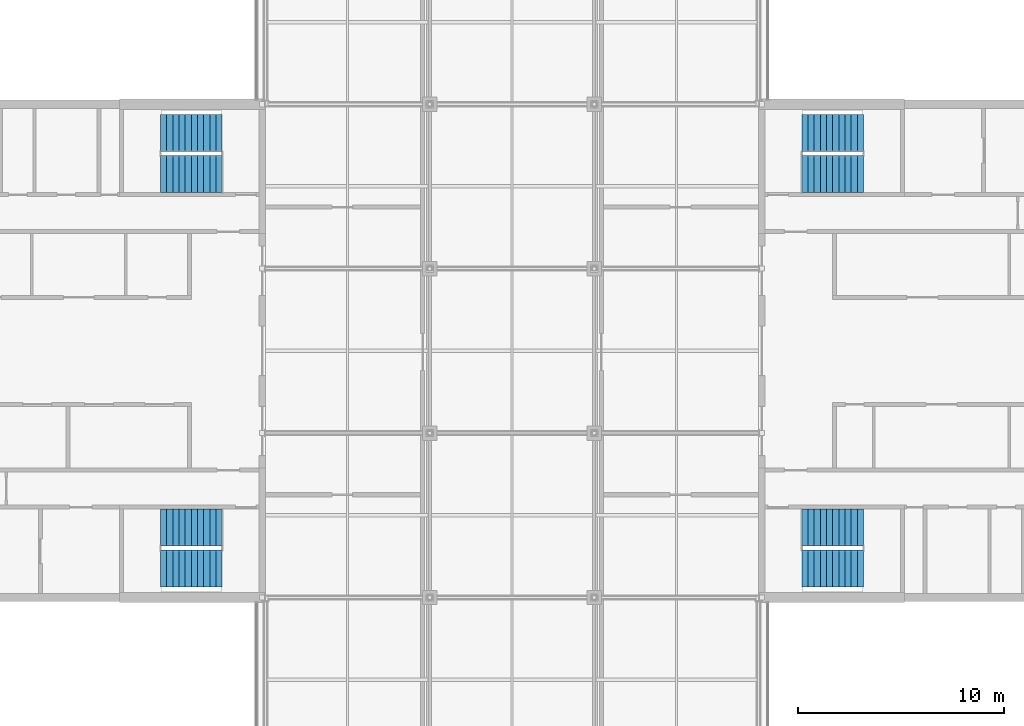
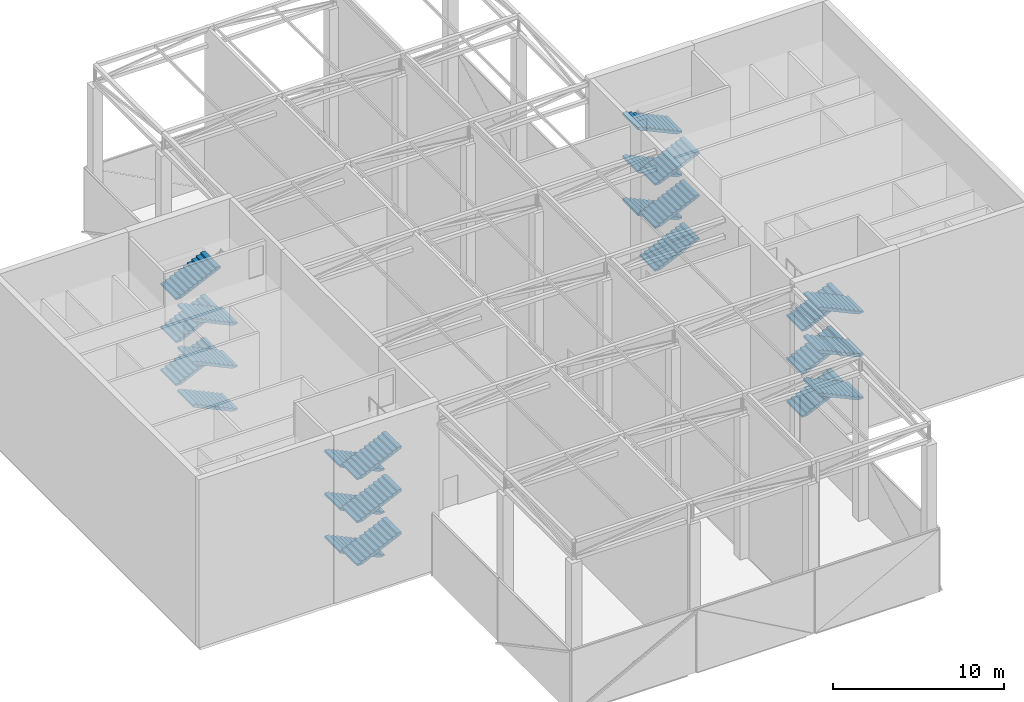
# One storey, part 14 of 23: 24 stair flights, 4 elements without a shape of their own.
"""IFC4 building model written with IfcOpenShell, lengths in metres."""

from ifc_helpers import new_model, si_unit, direction, frame, origin, place, context, subcontext, project, spatial, polyline, outline, extrude, material, type_object, element, aggregate, save


model = new_model("IFC4")

# Units and contexts
model_context = context("Model", 3, precision=1e-05, world=origin(), true_north=direction((0.0, 1.0)))
body_context = subcontext(model_context, "Body", "Model", "MODEL_VIEW")
ifc_project = project(units=[si_unit("LENGTHUNIT", "METRE"), si_unit("AREAUNIT", "SQUARE_METRE"), si_unit("VOLUMEUNIT", "CUBIC_METRE"), si_unit("PLANEANGLEUNIT", "RADIAN"), si_unit("MASSUNIT", "GRAM", prefix="KILO")], contexts=[model_context])

# Site, building, storey
site_placement = place(None, origin())
site = spatial("IfcSite", under=ifc_project, at=site_placement, CompositionType="ELEMENT")
building_placement = place(site_placement, origin())
building = spatial("IfcBuilding", under=site, at=building_placement, Name="Crosswind Convention Tower", CompositionType="ELEMENT")
storey_placement = place(building_placement, frame((0.0, 0.0, 349.10009765625)))
storey = spatial("IfcBuildingStorey", under=building, at=storey_placement, Name="L76", CompositionType="ELEMENT", Elevation=349.10009765625)

# Stair, stair flights
ifc_material = material(Name="Concrete C40/50", Category="concrete")
stair_type = type_object("IfcStairType", Name="Exit stair 1800 wide, 6 flights of 11 risers", PredefinedType="HALF_TURN_STAIR", material=ifc_material)
stair_1_placement = place(storey_placement, origin())
stair_1 = element("IfcStair", 1, at=stair_1_placement, inside=storey, type_object=stair_type, Name="Exit stair ST1 L76", ObjectType="ST7", PredefinedType="HALF_TURN_STAIR")
stair_flight_type = type_object("IfcStairFlightType", Name="Stair flight 1800 wide, 11 risers (SF6)", PredefinedType="STRAIGHT", material=ifc_material)
stair_flight_1_placement = place(storey_placement, frame((139.10009765625, 108.60009765625, 0.0), z_axis=(0.0, 0.0, 1.0), x_axis=(1.0, 0.0, 0.0)))
stair_flight_1 = element("IfcStairFlight", 2, at=stair_flight_1_placement, type_object=stair_flight_type, Name="ST1 flight 1", NumberOfRisers=11, NumberOfTreads=10, PredefinedType="STRAIGHT", RiserHeight=0.139393939, TreadLength=0.3, context=body_context, shape_type="SweptSolid", body=[
    extrude(outline(polyline([(0.0, 0.0), (0.0, 0.139404296875), (0.300048828125, 0.139404296875), (0.300048828125, 0.27880859375), (0.60009765625, 0.27880859375), (0.60009765625, 0.418212890625), (0.89990234375, 0.418212890625), (0.89990234375, 0.5576171875), (1.199951171875, 0.5576171875), (1.199951171875, 0.697021484375), (1.5, 0.697021484375), (1.5, 0.83642578125), (1.800048828125, 0.83642578125), (1.800048828125, 0.975830078125), (2.10009765625, 0.975830078125), (2.10009765625, 1.115234375), (2.39990234375, 1.115234375), (2.39990234375, 1.254638671875), (2.699951171875, 1.254638671875), (2.699951171875, 1.39404296875), (3.0, 1.39404296875), (3.0, 1.533447265625), (3.0, 1.228759765625), (0.355712890625, 0.0), (0.0, 0.0)])), frame((0.0, 0.89990234375, 0.0), z_axis=(0.0, -1.0, 0.0), x_axis=(1.0, 0.0, 0.0)), (0.0, 0.0, 1.0), 1.800048828125),
])
stair_flight_2_placement = place(storey_placement, frame((142.10009765625, 110.60009765625, 1.533203125), z_axis=(0.0, 0.0, 1.0), x_axis=(-1.0, 0.0, 0.0)))
stair_flight_2 = element("IfcStairFlight", 3, at=stair_flight_2_placement, type_object=stair_flight_type, Name="ST1 flight 2", NumberOfRisers=11, NumberOfTreads=10, PredefinedType="STRAIGHT", RiserHeight=0.139393939, TreadLength=0.3, context=body_context, shape_type="SweptSolid", body=[
    extrude(outline(polyline([(0.0, 0.0), (0.0, 0.139404296875), (0.300048828125, 0.139404296875), (0.300048828125, 0.27880859375), (0.60009765625, 0.27880859375), (0.60009765625, 0.418212890625), (0.89990234375, 0.418212890625), (0.89990234375, 0.5576171875), (1.199951171875, 0.5576171875), (1.199951171875, 0.697021484375), (1.5, 0.697021484375), (1.5, 0.83642578125), (1.800048828125, 0.83642578125), (1.800048828125, 0.975830078125), (2.10009765625, 0.975830078125), (2.10009765625, 1.115234375), (2.39990234375, 1.115234375), (2.39990234375, 1.254638671875), (2.699951171875, 1.254638671875), (2.699951171875, 1.39404296875), (3.0, 1.39404296875), (3.0, 1.533447265625), (3.0, 1.228759765625), (0.355712890625, 0.0), (0.0, 0.0)])), frame((0.0, 0.89990234375, 0.0), z_axis=(0.0, -1.0, 0.0), x_axis=(1.0, 0.0, 0.0)), (0.0, 0.0, 1.0), 1.800048828125),
])
stair_flight_3_placement = place(storey_placement, frame((139.10009765625, 108.60009765625, 3.066650390625), z_axis=(0.0, 0.0, 1.0), x_axis=(1.0, 0.0, 0.0)))
stair_flight_3 = element("IfcStairFlight", 4, at=stair_flight_3_placement, type_object=stair_flight_type, Name="ST1 flight 3", NumberOfRisers=11, NumberOfTreads=10, PredefinedType="STRAIGHT", RiserHeight=0.139393939, TreadLength=0.3, context=body_context, shape_type="SweptSolid", body=[
    extrude(outline(polyline([(0.0, 0.0), (0.0, 0.139404296875), (0.300048828125, 0.139404296875), (0.300048828125, 0.27880859375), (0.60009765625, 0.27880859375), (0.60009765625, 0.418212890625), (0.89990234375, 0.418212890625), (0.89990234375, 0.5576171875), (1.199951171875, 0.5576171875), (1.199951171875, 0.697021484375), (1.5, 0.697021484375), (1.5, 0.83642578125), (1.800048828125, 0.83642578125), (1.800048828125, 0.975830078125), (2.10009765625, 0.975830078125), (2.10009765625, 1.115234375), (2.39990234375, 1.115234375), (2.39990234375, 1.254638671875), (2.699951171875, 1.254638671875), (2.699951171875, 1.39404296875), (3.0, 1.39404296875), (3.0, 1.533447265625), (3.0, 1.228759765625), (0.355712890625, 0.0), (0.0, 0.0)])), frame((0.0, 0.89990234375, 0.0), z_axis=(0.0, -1.0, 0.0), x_axis=(1.0, 0.0, 0.0)), (0.0, 0.0, 1.0), 1.800048828125),
])
stair_flight_4_placement = place(storey_placement, frame((142.10009765625, 110.60009765625, 4.599853515625), z_axis=(0.0, 0.0, 1.0), x_axis=(-1.0, 0.0, 0.0)))
stair_flight_4 = element("IfcStairFlight", 5, at=stair_flight_4_placement, type_object=stair_flight_type, Name="ST1 flight 4", NumberOfRisers=11, NumberOfTreads=10, PredefinedType="STRAIGHT", RiserHeight=0.139393939, TreadLength=0.3, context=body_context, shape_type="SweptSolid", body=[
    extrude(outline(polyline([(0.0, 0.0), (0.0, 0.139404296875), (0.300048828125, 0.139404296875), (0.300048828125, 0.27880859375), (0.60009765625, 0.27880859375), (0.60009765625, 0.418212890625), (0.89990234375, 0.418212890625), (0.89990234375, 0.5576171875), (1.199951171875, 0.5576171875), (1.199951171875, 0.697021484375), (1.5, 0.697021484375), (1.5, 0.83642578125), (1.800048828125, 0.83642578125), (1.800048828125, 0.975830078125), (2.10009765625, 0.975830078125), (2.10009765625, 1.115234375), (2.39990234375, 1.115234375), (2.39990234375, 1.254638671875), (2.699951171875, 1.254638671875), (2.699951171875, 1.39404296875), (3.0, 1.39404296875), (3.0, 1.533447265625), (3.0, 1.228759765625), (0.355712890625, 0.0), (0.0, 0.0)])), frame((0.0, 0.89990234375, 0.0), z_axis=(0.0, -1.0, 0.0), x_axis=(1.0, 0.0, 0.0)), (0.0, 0.0, 1.0), 1.800048828125),
])
stair_flight_5_placement = place(storey_placement, frame((139.10009765625, 108.60009765625, 6.13330078125), z_axis=(0.0, 0.0, 1.0), x_axis=(1.0, 0.0, 0.0)))
stair_flight_5 = element("IfcStairFlight", 6, at=stair_flight_5_placement, type_object=stair_flight_type, Name="ST1 flight 5", NumberOfRisers=11, NumberOfTreads=10, PredefinedType="STRAIGHT", RiserHeight=0.139393939, TreadLength=0.3, context=body_context, shape_type="SweptSolid", body=[
    extrude(outline(polyline([(0.0, 0.0), (0.0, 0.139404296875), (0.300048828125, 0.139404296875), (0.300048828125, 0.27880859375), (0.60009765625, 0.27880859375), (0.60009765625, 0.418212890625), (0.89990234375, 0.418212890625), (0.89990234375, 0.5576171875), (1.199951171875, 0.5576171875), (1.199951171875, 0.697021484375), (1.5, 0.697021484375), (1.5, 0.83642578125), (1.800048828125, 0.83642578125), (1.800048828125, 0.975830078125), (2.10009765625, 0.975830078125), (2.10009765625, 1.115234375), (2.39990234375, 1.115234375), (2.39990234375, 1.254638671875), (2.699951171875, 1.254638671875), (2.699951171875, 1.39404296875), (3.0, 1.39404296875), (3.0, 1.533447265625), (3.0, 1.228759765625), (0.355712890625, 0.0), (0.0, 0.0)])), frame((0.0, 0.89990234375, 0.0), z_axis=(0.0, -1.0, 0.0), x_axis=(1.0, 0.0, 0.0)), (0.0, 0.0, 1.0), 1.800048828125),
])
stair_flight_6_placement = place(storey_placement, frame((142.10009765625, 110.60009765625, 7.66650390625), z_axis=(0.0, 0.0, 1.0), x_axis=(-1.0, 0.0, 0.0)))
stair_flight_6 = element("IfcStairFlight", 7, at=stair_flight_6_placement, type_object=stair_flight_type, Name="ST1 flight 6", NumberOfRisers=11, NumberOfTreads=10, PredefinedType="STRAIGHT", RiserHeight=0.139393939, TreadLength=0.3, context=body_context, shape_type="SweptSolid", body=[
    extrude(outline(polyline([(0.0, 0.0), (0.0, 0.139404296875), (0.300048828125, 0.139404296875), (0.300048828125, 0.27880859375), (0.60009765625, 0.27880859375), (0.60009765625, 0.418212890625), (0.89990234375, 0.418212890625), (0.89990234375, 0.5576171875), (1.199951171875, 0.5576171875), (1.199951171875, 0.697021484375), (1.5, 0.697021484375), (1.5, 0.83642578125), (1.800048828125, 0.83642578125), (1.800048828125, 0.975830078125), (2.10009765625, 0.975830078125), (2.10009765625, 1.115234375), (2.39990234375, 1.115234375), (2.39990234375, 1.254638671875), (2.699951171875, 1.254638671875), (2.699951171875, 1.39404296875), (3.0, 1.39404296875), (3.0, 1.533447265625), (3.0, 1.228759765625), (0.355712890625, 0.0), (0.0, 0.0)])), frame((0.0, 0.89990234375, 0.0), z_axis=(0.0, -1.0, 0.0), x_axis=(1.0, 0.0, 0.0)), (0.0, 0.0, 1.0), 1.800048828125),
])
aggregate(stair_1, [stair_flight_1, stair_flight_2, stair_flight_3, stair_flight_4, stair_flight_5, stair_flight_6])

stair_2_placement = place(storey_placement, origin())
stair_2 = element("IfcStair", 8, at=stair_2_placement, inside=storey, type_object=stair_type, Name="Exit stair ST2 L76", ObjectType="ST7", PredefinedType="HALF_TURN_STAIR")
stair_flight_7_placement = place(storey_placement, frame((139.10009765625, 91.39990234375, 0.0), z_axis=(0.0, 0.0, 1.0), x_axis=(1.0, 0.0, 0.0)))
stair_flight_7 = element("IfcStairFlight", 9, at=stair_flight_7_placement, type_object=stair_flight_type, Name="ST2 flight 1", NumberOfRisers=11, NumberOfTreads=10, PredefinedType="STRAIGHT", RiserHeight=0.139393939, TreadLength=0.3, context=body_context, shape_type="SweptSolid", body=[
    extrude(outline(polyline([(0.0, 0.0), (0.0, 0.139404296875), (0.300048828125, 0.139404296875), (0.300048828125, 0.27880859375), (0.60009765625, 0.27880859375), (0.60009765625, 0.418212890625), (0.89990234375, 0.418212890625), (0.89990234375, 0.5576171875), (1.199951171875, 0.5576171875), (1.199951171875, 0.697021484375), (1.5, 0.697021484375), (1.5, 0.83642578125), (1.800048828125, 0.83642578125), (1.800048828125, 0.975830078125), (2.10009765625, 0.975830078125), (2.10009765625, 1.115234375), (2.39990234375, 1.115234375), (2.39990234375, 1.254638671875), (2.699951171875, 1.254638671875), (2.699951171875, 1.39404296875), (3.0, 1.39404296875), (3.0, 1.533447265625), (3.0, 1.228759765625), (0.355712890625, 0.0), (0.0, 0.0)])), frame((0.0, 0.89990234375, 0.0), z_axis=(0.0, -1.0, 0.0), x_axis=(1.0, 0.0, 0.0)), (0.0, 0.0, 1.0), 1.800048828125),
])
stair_flight_8_placement = place(storey_placement, frame((142.10009765625, 89.39990234375, 1.533203125), z_axis=(0.0, 0.0, 1.0), x_axis=(-1.0, 0.0, 0.0)))
stair_flight_8 = element("IfcStairFlight", 10, at=stair_flight_8_placement, type_object=stair_flight_type, Name="ST2 flight 2", NumberOfRisers=11, NumberOfTreads=10, PredefinedType="STRAIGHT", RiserHeight=0.139393939, TreadLength=0.3, context=body_context, shape_type="SweptSolid", body=[
    extrude(outline(polyline([(0.0, 0.0), (0.0, 0.139404296875), (0.300048828125, 0.139404296875), (0.300048828125, 0.27880859375), (0.60009765625, 0.27880859375), (0.60009765625, 0.418212890625), (0.89990234375, 0.418212890625), (0.89990234375, 0.5576171875), (1.199951171875, 0.5576171875), (1.199951171875, 0.697021484375), (1.5, 0.697021484375), (1.5, 0.83642578125), (1.800048828125, 0.83642578125), (1.800048828125, 0.975830078125), (2.10009765625, 0.975830078125), (2.10009765625, 1.115234375), (2.39990234375, 1.115234375), (2.39990234375, 1.254638671875), (2.699951171875, 1.254638671875), (2.699951171875, 1.39404296875), (3.0, 1.39404296875), (3.0, 1.533447265625), (3.0, 1.228759765625), (0.355712890625, 0.0), (0.0, 0.0)])), frame((0.0, 0.89990234375, 0.0), z_axis=(0.0, -1.0, 0.0), x_axis=(1.0, 0.0, 0.0)), (0.0, 0.0, 1.0), 1.800048828125),
])
stair_flight_9_placement = place(storey_placement, frame((139.10009765625, 91.39990234375, 3.066650390625), z_axis=(0.0, 0.0, 1.0), x_axis=(1.0, 0.0, 0.0)))
stair_flight_9 = element("IfcStairFlight", 11, at=stair_flight_9_placement, type_object=stair_flight_type, Name="ST2 flight 3", NumberOfRisers=11, NumberOfTreads=10, PredefinedType="STRAIGHT", RiserHeight=0.139393939, TreadLength=0.3, context=body_context, shape_type="SweptSolid", body=[
    extrude(outline(polyline([(0.0, 0.0), (0.0, 0.139404296875), (0.300048828125, 0.139404296875), (0.300048828125, 0.27880859375), (0.60009765625, 0.27880859375), (0.60009765625, 0.418212890625), (0.89990234375, 0.418212890625), (0.89990234375, 0.5576171875), (1.199951171875, 0.5576171875), (1.199951171875, 0.697021484375), (1.5, 0.697021484375), (1.5, 0.83642578125), (1.800048828125, 0.83642578125), (1.800048828125, 0.975830078125), (2.10009765625, 0.975830078125), (2.10009765625, 1.115234375), (2.39990234375, 1.115234375), (2.39990234375, 1.254638671875), (2.699951171875, 1.254638671875), (2.699951171875, 1.39404296875), (3.0, 1.39404296875), (3.0, 1.533447265625), (3.0, 1.228759765625), (0.355712890625, 0.0), (0.0, 0.0)])), frame((0.0, 0.89990234375, 0.0), z_axis=(0.0, -1.0, 0.0), x_axis=(1.0, 0.0, 0.0)), (0.0, 0.0, 1.0), 1.800048828125),
])
stair_flight_10_placement = place(storey_placement, frame((142.10009765625, 89.39990234375, 4.599853515625), z_axis=(0.0, 0.0, 1.0), x_axis=(-1.0, 0.0, 0.0)))
stair_flight_10 = element("IfcStairFlight", 12, at=stair_flight_10_placement, type_object=stair_flight_type, Name="ST2 flight 4", NumberOfRisers=11, NumberOfTreads=10, PredefinedType="STRAIGHT", RiserHeight=0.139393939, TreadLength=0.3, context=body_context, shape_type="SweptSolid", body=[
    extrude(outline(polyline([(0.0, 0.0), (0.0, 0.139404296875), (0.300048828125, 0.139404296875), (0.300048828125, 0.27880859375), (0.60009765625, 0.27880859375), (0.60009765625, 0.418212890625), (0.89990234375, 0.418212890625), (0.89990234375, 0.5576171875), (1.199951171875, 0.5576171875), (1.199951171875, 0.697021484375), (1.5, 0.697021484375), (1.5, 0.83642578125), (1.800048828125, 0.83642578125), (1.800048828125, 0.975830078125), (2.10009765625, 0.975830078125), (2.10009765625, 1.115234375), (2.39990234375, 1.115234375), (2.39990234375, 1.254638671875), (2.699951171875, 1.254638671875), (2.699951171875, 1.39404296875), (3.0, 1.39404296875), (3.0, 1.533447265625), (3.0, 1.228759765625), (0.355712890625, 0.0), (0.0, 0.0)])), frame((0.0, 0.89990234375, 0.0), z_axis=(0.0, -1.0, 0.0), x_axis=(1.0, 0.0, 0.0)), (0.0, 0.0, 1.0), 1.800048828125),
])
stair_flight_11_placement = place(storey_placement, frame((139.10009765625, 91.39990234375, 6.13330078125), z_axis=(0.0, 0.0, 1.0), x_axis=(1.0, 0.0, 0.0)))
stair_flight_11 = element("IfcStairFlight", 13, at=stair_flight_11_placement, type_object=stair_flight_type, Name="ST2 flight 5", NumberOfRisers=11, NumberOfTreads=10, PredefinedType="STRAIGHT", RiserHeight=0.139393939, TreadLength=0.3, context=body_context, shape_type="SweptSolid", body=[
    extrude(outline(polyline([(0.0, 0.0), (0.0, 0.139404296875), (0.300048828125, 0.139404296875), (0.300048828125, 0.27880859375), (0.60009765625, 0.27880859375), (0.60009765625, 0.418212890625), (0.89990234375, 0.418212890625), (0.89990234375, 0.5576171875), (1.199951171875, 0.5576171875), (1.199951171875, 0.697021484375), (1.5, 0.697021484375), (1.5, 0.83642578125), (1.800048828125, 0.83642578125), (1.800048828125, 0.975830078125), (2.10009765625, 0.975830078125), (2.10009765625, 1.115234375), (2.39990234375, 1.115234375), (2.39990234375, 1.254638671875), (2.699951171875, 1.254638671875), (2.699951171875, 1.39404296875), (3.0, 1.39404296875), (3.0, 1.533447265625), (3.0, 1.228759765625), (0.355712890625, 0.0), (0.0, 0.0)])), frame((0.0, 0.89990234375, 0.0), z_axis=(0.0, -1.0, 0.0), x_axis=(1.0, 0.0, 0.0)), (0.0, 0.0, 1.0), 1.800048828125),
])
stair_flight_12_placement = place(storey_placement, frame((142.10009765625, 89.39990234375, 7.66650390625), z_axis=(0.0, 0.0, 1.0), x_axis=(-1.0, 0.0, 0.0)))
stair_flight_12 = element("IfcStairFlight", 14, at=stair_flight_12_placement, type_object=stair_flight_type, Name="ST2 flight 6", NumberOfRisers=11, NumberOfTreads=10, PredefinedType="STRAIGHT", RiserHeight=0.139393939, TreadLength=0.3, context=body_context, shape_type="SweptSolid", body=[
    extrude(outline(polyline([(0.0, 0.0), (0.0, 0.139404296875), (0.300048828125, 0.139404296875), (0.300048828125, 0.27880859375), (0.60009765625, 0.27880859375), (0.60009765625, 0.418212890625), (0.89990234375, 0.418212890625), (0.89990234375, 0.5576171875), (1.199951171875, 0.5576171875), (1.199951171875, 0.697021484375), (1.5, 0.697021484375), (1.5, 0.83642578125), (1.800048828125, 0.83642578125), (1.800048828125, 0.975830078125), (2.10009765625, 0.975830078125), (2.10009765625, 1.115234375), (2.39990234375, 1.115234375), (2.39990234375, 1.254638671875), (2.699951171875, 1.254638671875), (2.699951171875, 1.39404296875), (3.0, 1.39404296875), (3.0, 1.533447265625), (3.0, 1.228759765625), (0.355712890625, 0.0), (0.0, 0.0)])), frame((0.0, 0.89990234375, 0.0), z_axis=(0.0, -1.0, 0.0), x_axis=(1.0, 0.0, 0.0)), (0.0, 0.0, 1.0), 1.800048828125),
])
aggregate(stair_2, [stair_flight_7, stair_flight_8, stair_flight_9, stair_flight_10, stair_flight_11, stair_flight_12])

stair_3_placement = place(storey_placement, origin())
stair_3 = element("IfcStair", 15, at=stair_3_placement, inside=storey, type_object=stair_type, Name="Exit stair ST3 L76", ObjectType="ST7", PredefinedType="HALF_TURN_STAIR")
stair_flight_13_placement = place(storey_placement, frame((110.89990234375, 91.39990234375, 0.0), z_axis=(0.0, 0.0, 1.0), x_axis=(-1.0, 0.0, 0.0)))
stair_flight_13 = element("IfcStairFlight", 16, at=stair_flight_13_placement, type_object=stair_flight_type, Name="ST3 flight 1", NumberOfRisers=11, NumberOfTreads=10, PredefinedType="STRAIGHT", RiserHeight=0.139393939, TreadLength=0.3, context=body_context, shape_type="SweptSolid", body=[
    extrude(outline(polyline([(0.0, 0.0), (0.0, 0.139404296875), (0.300048828125, 0.139404296875), (0.300048828125, 0.27880859375), (0.60009765625, 0.27880859375), (0.60009765625, 0.418212890625), (0.89990234375, 0.418212890625), (0.89990234375, 0.5576171875), (1.199951171875, 0.5576171875), (1.199951171875, 0.697021484375), (1.5, 0.697021484375), (1.5, 0.83642578125), (1.800048828125, 0.83642578125), (1.800048828125, 0.975830078125), (2.10009765625, 0.975830078125), (2.10009765625, 1.115234375), (2.39990234375, 1.115234375), (2.39990234375, 1.254638671875), (2.699951171875, 1.254638671875), (2.699951171875, 1.39404296875), (3.0, 1.39404296875), (3.0, 1.533447265625), (3.0, 1.228759765625), (0.355712890625, 0.0), (0.0, 0.0)])), frame((0.0, 0.89990234375, 0.0), z_axis=(0.0, -1.0, 0.0), x_axis=(1.0, 0.0, 0.0)), (0.0, 0.0, 1.0), 1.800048828125),
])
stair_flight_14_placement = place(storey_placement, frame((107.89990234375, 89.39990234375, 1.533203125), z_axis=(0.0, 0.0, 1.0), x_axis=(1.0, 0.0, 0.0)))
stair_flight_14 = element("IfcStairFlight", 17, at=stair_flight_14_placement, type_object=stair_flight_type, Name="ST3 flight 2", NumberOfRisers=11, NumberOfTreads=10, PredefinedType="STRAIGHT", RiserHeight=0.139393939, TreadLength=0.3, context=body_context, shape_type="SweptSolid", body=[
    extrude(outline(polyline([(0.0, 0.0), (0.0, 0.139404296875), (0.300048828125, 0.139404296875), (0.300048828125, 0.27880859375), (0.60009765625, 0.27880859375), (0.60009765625, 0.418212890625), (0.89990234375, 0.418212890625), (0.89990234375, 0.5576171875), (1.199951171875, 0.5576171875), (1.199951171875, 0.697021484375), (1.5, 0.697021484375), (1.5, 0.83642578125), (1.800048828125, 0.83642578125), (1.800048828125, 0.975830078125), (2.10009765625, 0.975830078125), (2.10009765625, 1.115234375), (2.39990234375, 1.115234375), (2.39990234375, 1.254638671875), (2.699951171875, 1.254638671875), (2.699951171875, 1.39404296875), (3.0, 1.39404296875), (3.0, 1.533447265625), (3.0, 1.228759765625), (0.355712890625, 0.0), (0.0, 0.0)])), frame((0.0, 0.89990234375, 0.0), z_axis=(0.0, -1.0, 0.0), x_axis=(1.0, 0.0, 0.0)), (0.0, 0.0, 1.0), 1.800048828125),
])
stair_flight_15_placement = place(storey_placement, frame((110.89990234375, 91.39990234375, 3.066650390625), z_axis=(0.0, 0.0, 1.0), x_axis=(-1.0, 0.0, 0.0)))
stair_flight_15 = element("IfcStairFlight", 18, at=stair_flight_15_placement, type_object=stair_flight_type, Name="ST3 flight 3", NumberOfRisers=11, NumberOfTreads=10, PredefinedType="STRAIGHT", RiserHeight=0.139393939, TreadLength=0.3, context=body_context, shape_type="SweptSolid", body=[
    extrude(outline(polyline([(0.0, 0.0), (0.0, 0.139404296875), (0.300048828125, 0.139404296875), (0.300048828125, 0.27880859375), (0.60009765625, 0.27880859375), (0.60009765625, 0.418212890625), (0.89990234375, 0.418212890625), (0.89990234375, 0.5576171875), (1.199951171875, 0.5576171875), (1.199951171875, 0.697021484375), (1.5, 0.697021484375), (1.5, 0.83642578125), (1.800048828125, 0.83642578125), (1.800048828125, 0.975830078125), (2.10009765625, 0.975830078125), (2.10009765625, 1.115234375), (2.39990234375, 1.115234375), (2.39990234375, 1.254638671875), (2.699951171875, 1.254638671875), (2.699951171875, 1.39404296875), (3.0, 1.39404296875), (3.0, 1.533447265625), (3.0, 1.228759765625), (0.355712890625, 0.0), (0.0, 0.0)])), frame((0.0, 0.89990234375, 0.0), z_axis=(0.0, -1.0, 0.0), x_axis=(1.0, 0.0, 0.0)), (0.0, 0.0, 1.0), 1.800048828125),
])
stair_flight_16_placement = place(storey_placement, frame((107.89990234375, 89.39990234375, 4.599853515625), z_axis=(0.0, 0.0, 1.0), x_axis=(1.0, 0.0, 0.0)))
stair_flight_16 = element("IfcStairFlight", 19, at=stair_flight_16_placement, type_object=stair_flight_type, Name="ST3 flight 4", NumberOfRisers=11, NumberOfTreads=10, PredefinedType="STRAIGHT", RiserHeight=0.139393939, TreadLength=0.3, context=body_context, shape_type="SweptSolid", body=[
    extrude(outline(polyline([(0.0, 0.0), (0.0, 0.139404296875), (0.300048828125, 0.139404296875), (0.300048828125, 0.27880859375), (0.60009765625, 0.27880859375), (0.60009765625, 0.418212890625), (0.89990234375, 0.418212890625), (0.89990234375, 0.5576171875), (1.199951171875, 0.5576171875), (1.199951171875, 0.697021484375), (1.5, 0.697021484375), (1.5, 0.83642578125), (1.800048828125, 0.83642578125), (1.800048828125, 0.975830078125), (2.10009765625, 0.975830078125), (2.10009765625, 1.115234375), (2.39990234375, 1.115234375), (2.39990234375, 1.254638671875), (2.699951171875, 1.254638671875), (2.699951171875, 1.39404296875), (3.0, 1.39404296875), (3.0, 1.533447265625), (3.0, 1.228759765625), (0.355712890625, 0.0), (0.0, 0.0)])), frame((0.0, 0.89990234375, 0.0), z_axis=(0.0, -1.0, 0.0), x_axis=(1.0, 0.0, 0.0)), (0.0, 0.0, 1.0), 1.800048828125),
])
stair_flight_17_placement = place(storey_placement, frame((110.89990234375, 91.39990234375, 6.13330078125), z_axis=(0.0, 0.0, 1.0), x_axis=(-1.0, 0.0, 0.0)))
stair_flight_17 = element("IfcStairFlight", 20, at=stair_flight_17_placement, type_object=stair_flight_type, Name="ST3 flight 5", NumberOfRisers=11, NumberOfTreads=10, PredefinedType="STRAIGHT", RiserHeight=0.139393939, TreadLength=0.3, context=body_context, shape_type="SweptSolid", body=[
    extrude(outline(polyline([(0.0, 0.0), (0.0, 0.139404296875), (0.300048828125, 0.139404296875), (0.300048828125, 0.27880859375), (0.60009765625, 0.27880859375), (0.60009765625, 0.418212890625), (0.89990234375, 0.418212890625), (0.89990234375, 0.5576171875), (1.199951171875, 0.5576171875), (1.199951171875, 0.697021484375), (1.5, 0.697021484375), (1.5, 0.83642578125), (1.800048828125, 0.83642578125), (1.800048828125, 0.975830078125), (2.10009765625, 0.975830078125), (2.10009765625, 1.115234375), (2.39990234375, 1.115234375), (2.39990234375, 1.254638671875), (2.699951171875, 1.254638671875), (2.699951171875, 1.39404296875), (3.0, 1.39404296875), (3.0, 1.533447265625), (3.0, 1.228759765625), (0.355712890625, 0.0), (0.0, 0.0)])), frame((0.0, 0.89990234375, 0.0), z_axis=(0.0, -1.0, 0.0), x_axis=(1.0, 0.0, 0.0)), (0.0, 0.0, 1.0), 1.800048828125),
])
stair_flight_18_placement = place(storey_placement, frame((107.89990234375, 89.39990234375, 7.66650390625), z_axis=(0.0, 0.0, 1.0), x_axis=(1.0, 0.0, 0.0)))
stair_flight_18 = element("IfcStairFlight", 21, at=stair_flight_18_placement, type_object=stair_flight_type, Name="ST3 flight 6", NumberOfRisers=11, NumberOfTreads=10, PredefinedType="STRAIGHT", RiserHeight=0.139393939, TreadLength=0.3, context=body_context, shape_type="SweptSolid", body=[
    extrude(outline(polyline([(0.0, 0.0), (0.0, 0.139404296875), (0.300048828125, 0.139404296875), (0.300048828125, 0.27880859375), (0.60009765625, 0.27880859375), (0.60009765625, 0.418212890625), (0.89990234375, 0.418212890625), (0.89990234375, 0.5576171875), (1.199951171875, 0.5576171875), (1.199951171875, 0.697021484375), (1.5, 0.697021484375), (1.5, 0.83642578125), (1.800048828125, 0.83642578125), (1.800048828125, 0.975830078125), (2.10009765625, 0.975830078125), (2.10009765625, 1.115234375), (2.39990234375, 1.115234375), (2.39990234375, 1.254638671875), (2.699951171875, 1.254638671875), (2.699951171875, 1.39404296875), (3.0, 1.39404296875), (3.0, 1.533447265625), (3.0, 1.228759765625), (0.355712890625, 0.0), (0.0, 0.0)])), frame((0.0, 0.89990234375, 0.0), z_axis=(0.0, -1.0, 0.0), x_axis=(1.0, 0.0, 0.0)), (0.0, 0.0, 1.0), 1.800048828125),
])
aggregate(stair_3, [stair_flight_13, stair_flight_14, stair_flight_15, stair_flight_16, stair_flight_17, stair_flight_18])

stair_4_placement = place(storey_placement, origin())
stair_4 = element("IfcStair", 22, at=stair_4_placement, inside=storey, type_object=stair_type, Name="Exit stair ST4 L76", ObjectType="ST7", PredefinedType="HALF_TURN_STAIR")
stair_flight_19_placement = place(storey_placement, frame((110.89990234375, 108.60009765625, 0.0), z_axis=(0.0, 0.0, 1.0), x_axis=(-1.0, 0.0, 0.0)))
stair_flight_19 = element("IfcStairFlight", 23, at=stair_flight_19_placement, type_object=stair_flight_type, Name="ST4 flight 1", NumberOfRisers=11, NumberOfTreads=10, PredefinedType="STRAIGHT", RiserHeight=0.139393939, TreadLength=0.3, context=body_context, shape_type="SweptSolid", body=[
    extrude(outline(polyline([(0.0, 0.0), (0.0, 0.139404296875), (0.300048828125, 0.139404296875), (0.300048828125, 0.27880859375), (0.60009765625, 0.27880859375), (0.60009765625, 0.418212890625), (0.89990234375, 0.418212890625), (0.89990234375, 0.5576171875), (1.199951171875, 0.5576171875), (1.199951171875, 0.697021484375), (1.5, 0.697021484375), (1.5, 0.83642578125), (1.800048828125, 0.83642578125), (1.800048828125, 0.975830078125), (2.10009765625, 0.975830078125), (2.10009765625, 1.115234375), (2.39990234375, 1.115234375), (2.39990234375, 1.254638671875), (2.699951171875, 1.254638671875), (2.699951171875, 1.39404296875), (3.0, 1.39404296875), (3.0, 1.533447265625), (3.0, 1.228759765625), (0.355712890625, 0.0), (0.0, 0.0)])), frame((0.0, 0.89990234375, 0.0), z_axis=(0.0, -1.0, 0.0), x_axis=(1.0, 0.0, 0.0)), (0.0, 0.0, 1.0), 1.800048828125),
])
stair_flight_20_placement = place(storey_placement, frame((107.89990234375, 110.60009765625, 1.533203125), z_axis=(0.0, 0.0, 1.0), x_axis=(1.0, 0.0, 0.0)))
stair_flight_20 = element("IfcStairFlight", 24, at=stair_flight_20_placement, type_object=stair_flight_type, Name="ST4 flight 2", NumberOfRisers=11, NumberOfTreads=10, PredefinedType="STRAIGHT", RiserHeight=0.139393939, TreadLength=0.3, context=body_context, shape_type="SweptSolid", body=[
    extrude(outline(polyline([(0.0, 0.0), (0.0, 0.139404296875), (0.300048828125, 0.139404296875), (0.300048828125, 0.27880859375), (0.60009765625, 0.27880859375), (0.60009765625, 0.418212890625), (0.89990234375, 0.418212890625), (0.89990234375, 0.5576171875), (1.199951171875, 0.5576171875), (1.199951171875, 0.697021484375), (1.5, 0.697021484375), (1.5, 0.83642578125), (1.800048828125, 0.83642578125), (1.800048828125, 0.975830078125), (2.10009765625, 0.975830078125), (2.10009765625, 1.115234375), (2.39990234375, 1.115234375), (2.39990234375, 1.254638671875), (2.699951171875, 1.254638671875), (2.699951171875, 1.39404296875), (3.0, 1.39404296875), (3.0, 1.533447265625), (3.0, 1.228759765625), (0.355712890625, 0.0), (0.0, 0.0)])), frame((0.0, 0.89990234375, 0.0), z_axis=(0.0, -1.0, 0.0), x_axis=(1.0, 0.0, 0.0)), (0.0, 0.0, 1.0), 1.800048828125),
])
stair_flight_21_placement = place(storey_placement, frame((110.89990234375, 108.60009765625, 3.066650390625), z_axis=(0.0, 0.0, 1.0), x_axis=(-1.0, 0.0, 0.0)))
stair_flight_21 = element("IfcStairFlight", 25, at=stair_flight_21_placement, type_object=stair_flight_type, Name="ST4 flight 3", NumberOfRisers=11, NumberOfTreads=10, PredefinedType="STRAIGHT", RiserHeight=0.139393939, TreadLength=0.3, context=body_context, shape_type="SweptSolid", body=[
    extrude(outline(polyline([(0.0, 0.0), (0.0, 0.139404296875), (0.300048828125, 0.139404296875), (0.300048828125, 0.27880859375), (0.60009765625, 0.27880859375), (0.60009765625, 0.418212890625), (0.89990234375, 0.418212890625), (0.89990234375, 0.5576171875), (1.199951171875, 0.5576171875), (1.199951171875, 0.697021484375), (1.5, 0.697021484375), (1.5, 0.83642578125), (1.800048828125, 0.83642578125), (1.800048828125, 0.975830078125), (2.10009765625, 0.975830078125), (2.10009765625, 1.115234375), (2.39990234375, 1.115234375), (2.39990234375, 1.254638671875), (2.699951171875, 1.254638671875), (2.699951171875, 1.39404296875), (3.0, 1.39404296875), (3.0, 1.533447265625), (3.0, 1.228759765625), (0.355712890625, 0.0), (0.0, 0.0)])), frame((0.0, 0.89990234375, 0.0), z_axis=(0.0, -1.0, 0.0), x_axis=(1.0, 0.0, 0.0)), (0.0, 0.0, 1.0), 1.800048828125),
])
stair_flight_22_placement = place(storey_placement, frame((107.89990234375, 110.60009765625, 4.599853515625), z_axis=(0.0, 0.0, 1.0), x_axis=(1.0, 0.0, 0.0)))
stair_flight_22 = element("IfcStairFlight", 26, at=stair_flight_22_placement, type_object=stair_flight_type, Name="ST4 flight 4", NumberOfRisers=11, NumberOfTreads=10, PredefinedType="STRAIGHT", RiserHeight=0.139393939, TreadLength=0.3, context=body_context, shape_type="SweptSolid", body=[
    extrude(outline(polyline([(0.0, 0.0), (0.0, 0.139404296875), (0.300048828125, 0.139404296875), (0.300048828125, 0.27880859375), (0.60009765625, 0.27880859375), (0.60009765625, 0.418212890625), (0.89990234375, 0.418212890625), (0.89990234375, 0.5576171875), (1.199951171875, 0.5576171875), (1.199951171875, 0.697021484375), (1.5, 0.697021484375), (1.5, 0.83642578125), (1.800048828125, 0.83642578125), (1.800048828125, 0.975830078125), (2.10009765625, 0.975830078125), (2.10009765625, 1.115234375), (2.39990234375, 1.115234375), (2.39990234375, 1.254638671875), (2.699951171875, 1.254638671875), (2.699951171875, 1.39404296875), (3.0, 1.39404296875), (3.0, 1.533447265625), (3.0, 1.228759765625), (0.355712890625, 0.0), (0.0, 0.0)])), frame((0.0, 0.89990234375, 0.0), z_axis=(0.0, -1.0, 0.0), x_axis=(1.0, 0.0, 0.0)), (0.0, 0.0, 1.0), 1.800048828125),
])
stair_flight_23_placement = place(storey_placement, frame((110.89990234375, 108.60009765625, 6.13330078125), z_axis=(0.0, 0.0, 1.0), x_axis=(-1.0, 0.0, 0.0)))
stair_flight_23 = element("IfcStairFlight", 27, at=stair_flight_23_placement, type_object=stair_flight_type, Name="ST4 flight 5", NumberOfRisers=11, NumberOfTreads=10, PredefinedType="STRAIGHT", RiserHeight=0.139393939, TreadLength=0.3, context=body_context, shape_type="SweptSolid", body=[
    extrude(outline(polyline([(0.0, 0.0), (0.0, 0.139404296875), (0.300048828125, 0.139404296875), (0.300048828125, 0.27880859375), (0.60009765625, 0.27880859375), (0.60009765625, 0.418212890625), (0.89990234375, 0.418212890625), (0.89990234375, 0.5576171875), (1.199951171875, 0.5576171875), (1.199951171875, 0.697021484375), (1.5, 0.697021484375), (1.5, 0.83642578125), (1.800048828125, 0.83642578125), (1.800048828125, 0.975830078125), (2.10009765625, 0.975830078125), (2.10009765625, 1.115234375), (2.39990234375, 1.115234375), (2.39990234375, 1.254638671875), (2.699951171875, 1.254638671875), (2.699951171875, 1.39404296875), (3.0, 1.39404296875), (3.0, 1.533447265625), (3.0, 1.228759765625), (0.355712890625, 0.0), (0.0, 0.0)])), frame((0.0, 0.89990234375, 0.0), z_axis=(0.0, -1.0, 0.0), x_axis=(1.0, 0.0, 0.0)), (0.0, 0.0, 1.0), 1.800048828125),
])
stair_flight_24_placement = place(storey_placement, frame((107.89990234375, 110.60009765625, 7.66650390625), z_axis=(0.0, 0.0, 1.0), x_axis=(1.0, 0.0, 0.0)))
stair_flight_24 = element("IfcStairFlight", 28, at=stair_flight_24_placement, type_object=stair_flight_type, Name="ST4 flight 6", NumberOfRisers=11, NumberOfTreads=10, PredefinedType="STRAIGHT", RiserHeight=0.139393939, TreadLength=0.3, context=body_context, shape_type="SweptSolid", body=[
    extrude(outline(polyline([(0.0, 0.0), (0.0, 0.139404296875), (0.300048828125, 0.139404296875), (0.300048828125, 0.27880859375), (0.60009765625, 0.27880859375), (0.60009765625, 0.418212890625), (0.89990234375, 0.418212890625), (0.89990234375, 0.5576171875), (1.199951171875, 0.5576171875), (1.199951171875, 0.697021484375), (1.5, 0.697021484375), (1.5, 0.83642578125), (1.800048828125, 0.83642578125), (1.800048828125, 0.975830078125), (2.10009765625, 0.975830078125), (2.10009765625, 1.115234375), (2.39990234375, 1.115234375), (2.39990234375, 1.254638671875), (2.699951171875, 1.254638671875), (2.699951171875, 1.39404296875), (3.0, 1.39404296875), (3.0, 1.533447265625), (3.0, 1.228759765625), (0.355712890625, 0.0), (0.0, 0.0)])), frame((0.0, 0.89990234375, 0.0), z_axis=(0.0, -1.0, 0.0), x_axis=(1.0, 0.0, 0.0)), (0.0, 0.0, 1.0), 1.800048828125),
])
aggregate(stair_4, [stair_flight_19, stair_flight_20, stair_flight_21, stair_flight_22, stair_flight_23, stair_flight_24])

save(model, "model.ifc")
